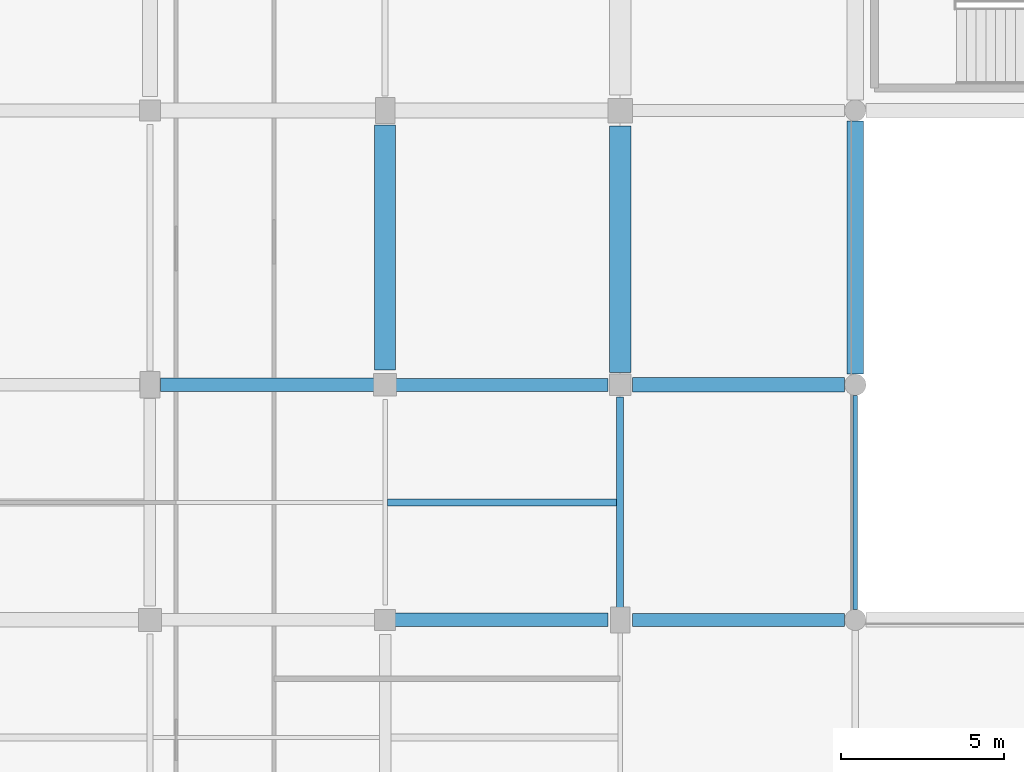
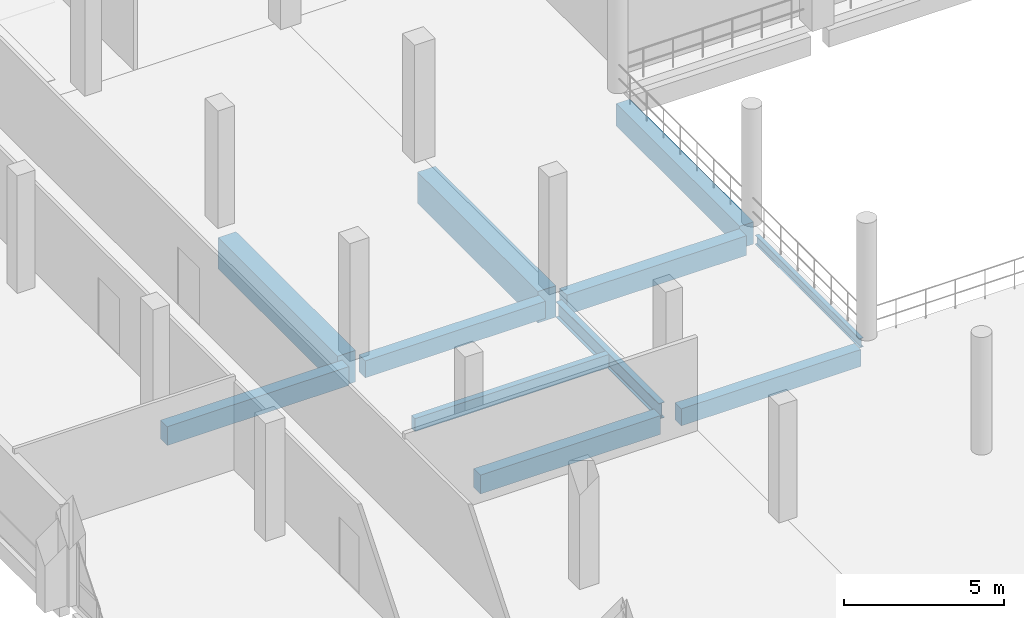
# One storey, part 58 of 124: 11 beams.
"""IFC4 building model written with IfcOpenShell, lengths in metres."""

from ifc_helpers import new_model, si_unit, direction, frame, origin, origin_2d, place, context, subcontext, project, spatial, rectangle, i_section, extrude, material, material_profile, profile_set, type_object, element, save


model = new_model("IFC4")

# Units and contexts
model_context = context("Model", 3, precision=1e-05, world=origin(), true_north=direction((0.0, 1.0)))
body_context = subcontext(model_context, "Body", "Model", "MODEL_VIEW")
ifc_project = project(units=[si_unit("LENGTHUNIT", "METRE"), si_unit("AREAUNIT", "SQUARE_METRE"), si_unit("VOLUMEUNIT", "CUBIC_METRE"), si_unit("PLANEANGLEUNIT", "RADIAN"), si_unit("MASSUNIT", "GRAM", prefix="KILO")], contexts=[model_context])

# Site, building, storey
site_placement = place(None, origin())
site = spatial("IfcSite", under=ifc_project, at=site_placement, CompositionType="ELEMENT")
building_placement = place(site_placement, origin())
building = spatial("IfcBuilding", under=site, at=building_placement, Name="Kalluvel Institute of Natural Sciences", CompositionType="ELEMENT")
storey_placement = place(building_placement, frame((0.0, 0.0, 9.89990234375)))
storey = spatial("IfcBuildingStorey", under=building, at=storey_placement, Name="L02", CompositionType="ELEMENT", Elevation=9.89990234375)

# Beams
ifc_material_1 = material(Name="Steel E350 Grade 350", Category="steel")
ifc_material_profile_1 = material_profile(ifc_material_1, i_section(OverallWidth=0.139892578125, OverallDepth=0.35009765625, WebThickness=0.008056640625, FlangeThickness=0.01416015625, FilletRadius=0.013916015625, at=origin_2d()), Name="ISMB 350")
ifc_profile_set_1 = profile_set([ifc_material_profile_1], Name="Steel E350 Grade 350")
beam_type_1 = type_object("IfcBeamType", Name="BM-ISMB350", PredefinedType="BEAM", material=ifc_profile_set_1)
beam_1_placement = place(storey_placement, frame((42.800048828125, 79.125, -0.494873046875), z_axis=(0.0, 1.0, 0.0), x_axis=(-1.0, 0.0, 0.0)))
element("IfcBeam", 1, at=beam_1_placement, inside=storey, type_object=beam_type_1, Name="L02 girder GIR-L02-NS-X428-Y788", PredefinedType="BEAM", context=body_context, shape_type="SweptSolid", body=[
    extrude(i_section(OverallWidth=0.139892578125, OverallDepth=0.35009765625, WebThickness=0.008056640625, FlangeThickness=0.01416015625, FilletRadius=0.013916015625, at=origin_2d()), origin(), (0.0, 0.0, 1.0), 6.550048828125),
])
ifc_material_profile_2 = material_profile(ifc_material_1, i_section(OverallWidth=0.2099609375, OverallDepth=0.60009765625, WebThickness=0.011962890625, FlangeThickness=0.020751953125, FilletRadius=0.02001953125, at=origin_2d()), Name="ISMB 600")
ifc_profile_set_2 = profile_set([ifc_material_profile_2], Name="Steel E350 Grade 350")
beam_type_2 = type_object("IfcBeamType", Name="BM-ISMB600", PredefinedType="BEAM", material=ifc_profile_set_2)
beam_2_placement = place(storey_placement, frame((35.60009765625, 79.175048828125, -0.599853515625), z_axis=(0.0, 1.0, 0.0), x_axis=(-1.0, 0.0, 0.0)))
element("IfcBeam", 2, at=beam_2_placement, inside=storey, type_object=beam_type_2, Name="L02 girder GIR-L02-NS-X356-Y788", PredefinedType="BEAM", context=body_context, shape_type="SweptSolid", body=[
    extrude(i_section(OverallWidth=0.2099609375, OverallDepth=0.60009765625, WebThickness=0.011962890625, FlangeThickness=0.020751953125, FilletRadius=0.02001953125, at=origin_2d()), origin(), (0.0, 0.0, 1.0), 6.449951171875),
])
ifc_material_2 = material(Name="Concrete M40", Category="concrete")
ifc_material_profile_3 = material_profile(ifc_material_2, rectangle(XDim=0.39990234375, YDim=0.64990234375, at=origin_2d()), Name="RCB 400x650")
ifc_profile_set_3 = profile_set([ifc_material_profile_3], Name="Concrete M40")
beam_type_3 = type_object("IfcBeamType", Name="BM-RC400x650", PredefinedType="BEAM", material=ifc_profile_set_3)
beam_3_placement = place(storey_placement, frame((35.97509765625, 78.800048828125, -0.64501953125), z_axis=(1.0, 0.0, 0.0), x_axis=(0.0, 1.0, 0.0)))
element("IfcBeam", 3, at=beam_3_placement, inside=storey, type_object=beam_type_3, Name="L02 girder GIR-L02-EW-X356-Y788", PredefinedType="BEAM", context=body_context, shape_type="SweptSolid", body=[
    extrude(rectangle(XDim=0.39990234375, YDim=0.64990234375, at=origin_2d()), origin(), (0.0, 0.0, 1.0), 6.5),
])
beam_4_placement = place(storey_placement, frame((28.699951171875, 86.0, -0.625), z_axis=(1.0, 0.0, 0.0), x_axis=(0.0, 1.0, 0.0)))
element("IfcBeam", 4, at=beam_4_placement, inside=storey, type_object=beam_type_3, Name="L02 girder GIR-L02-EW-X284-Y860", PredefinedType="BEAM", context=body_context, shape_type="SweptSolid", body=[
    extrude(rectangle(XDim=0.39990234375, YDim=0.64990234375, at=origin_2d()), origin(), (0.0, 0.0, 1.0), 6.525146484375),
])
ifc_material_profile_4 = material_profile(ifc_material_2, rectangle(XDim=0.419921875, YDim=0.719970703125, at=origin_2d()), Name="RCB 420x720")
ifc_profile_set_4 = profile_set([ifc_material_profile_4], Name="Concrete M40")
beam_type_4 = type_object("IfcBeamType", Name="BM-RC420x720", PredefinedType="BEAM", material=ifc_profile_set_4)
beam_5_placement = place(storey_placement, frame((28.699951171875, 78.800048828125, -0.659912109375), z_axis=(1.0, 0.0, 0.0), x_axis=(0.0, 1.0, 0.0)))
element("IfcBeam", 5, at=beam_5_placement, inside=storey, type_object=beam_type_4, Name="L02 girder GIR-L02-EW-X284-Y788", PredefinedType="BEAM", context=body_context, shape_type="SweptSolid", body=[
    extrude(rectangle(XDim=0.419921875, YDim=0.719970703125, at=origin_2d()), origin(), (0.0, 0.0, 1.0), 6.525146484375),
])
beam_6_placement = place(storey_placement, frame((21.52490234375, 86.0, -0.659912109375), z_axis=(1.0, 0.0, 0.0), x_axis=(0.0, 1.0, 0.0)))
element("IfcBeam", 6, at=beam_6_placement, inside=storey, type_object=beam_type_4, Name="L02 girder GIR-L02-EW-X212-Y860", PredefinedType="BEAM", context=body_context, shape_type="SweptSolid", body=[
    extrude(rectangle(XDim=0.419921875, YDim=0.719970703125, at=origin_2d()), origin(), (0.0, 0.0, 1.0), 6.5751953125),
])
ifc_material_profile_5 = material_profile(ifc_material_2, rectangle(XDim=0.449951171875, YDim=0.75, at=origin_2d()), Name="RCB 450x750")
ifc_profile_set_5 = profile_set([ifc_material_profile_5], Name="Concrete M40")
beam_type_5 = type_object("IfcBeamType", Name="BM-RC450x750", PredefinedType="BEAM", material=ifc_profile_set_5)
beam_7_placement = place(storey_placement, frame((35.97509765625, 86.0, -0.69482421875), z_axis=(1.0, 0.0, 0.0), x_axis=(0.0, 1.0, 0.0)))
element("IfcBeam", 7, at=beam_7_placement, inside=storey, type_object=beam_type_5, Name="L02 girder GIR-L02-EW-X356-Y860", PredefinedType="BEAM", context=body_context, shape_type="SweptSolid", body=[
    extrude(rectangle(XDim=0.449951171875, YDim=0.75, at=origin_2d()), origin(), (0.0, 0.0, 1.0), 6.5),
])
ifc_material_3 = material(Name="Concrete M50", Category="concrete")
ifc_material_profile_6 = material_profile(ifc_material_3, rectangle(XDim=0.5, YDim=0.85009765625, at=origin_2d()), Name="RCB 500x850")
ifc_profile_set_6 = profile_set([ifc_material_profile_6], Name="Concrete M50")
beam_type_6 = type_object("IfcBeamType", Name="BM-RC500x850", PredefinedType="BEAM", material=ifc_profile_set_6)
beam_8_placement = place(storey_placement, frame((42.800048828125, 86.324951171875, -0.744873046875), z_axis=(0.0, 1.0, 0.0), x_axis=(-1.0, 0.0, 0.0)))
element("IfcBeam", 8, at=beam_8_placement, inside=storey, type_object=beam_type_6, Name="L02 girder GIR-L02-NS-X428-Y860", PredefinedType="BEAM", context=body_context, shape_type="SweptSolid", body=[
    extrude(rectangle(XDim=0.5, YDim=0.85009765625, at=origin_2d()), origin(), (0.0, 0.0, 1.0), 7.75),
])
ifc_material_profile_7 = material_profile(ifc_material_3, rectangle(XDim=0.64990234375, YDim=1.199951171875, at=origin_2d()), Name="RCB 650x1200")
ifc_profile_set_7 = profile_set([ifc_material_profile_7], Name="Concrete M50")
beam_type_7 = type_object("IfcBeamType", Name="BM-RC650x1200", PredefinedType="BEAM", material=ifc_profile_set_7)
beam_9_placement = place(storey_placement, frame((28.39990234375, 86.449951171875, -0.89990234375), z_axis=(0.0, 1.0, 0.0), x_axis=(-1.0, 0.0, 0.0)))
element("IfcBeam", 9, at=beam_9_placement, inside=storey, type_object=beam_type_7, Name="L02 girder GIR-L02-NS-X284-Y860", PredefinedType="BEAM", context=body_context, shape_type="SweptSolid", body=[
    extrude(rectangle(XDim=0.64990234375, YDim=1.199951171875, at=origin_2d()), origin(), (0.0, 0.0, 1.0), 7.5),
])
beam_10_placement = place(storey_placement, frame((35.60009765625, 86.375, -0.89990234375), z_axis=(0.0, 1.0, 0.0), x_axis=(-1.0, 0.0, 0.0)))
element("IfcBeam", 10, at=beam_10_placement, inside=storey, type_object=beam_type_7, Name="L02 girder GIR-L02-NS-X356-Y860", PredefinedType="BEAM", context=body_context, shape_type="SweptSolid", body=[
    extrude(rectangle(XDim=0.64990234375, YDim=1.199951171875, at=origin_2d()), origin(), (0.0, 0.0, 1.0), 7.550048828125),
])
ifc_material_profile_8 = material_profile(ifc_material_2, rectangle(XDim=0.219970703125, YDim=0.5, at=origin_2d()), Name="WAF 220x500")
ifc_profile_set_8 = profile_set([ifc_material_profile_8], Name="Concrete M40")
beam_type_8 = type_object("IfcBeamType", Name="WJ-220x500", PredefinedType="JOIST", material=ifc_profile_set_8)
beam_11_placement = place(storey_placement, frame((28.469970703125, 82.39990234375, -0.5498046875), z_axis=(1.0, 0.0, 0.0), x_axis=(0.0, 1.0, 0.0)))
element("IfcBeam", 11, at=beam_11_placement, inside=storey, type_object=beam_type_8, Name="L02 floor rib RIB-L02-0679", PredefinedType="JOIST", context=body_context, shape_type="SweptSolid", body=[
    extrude(rectangle(XDim=0.219970703125, YDim=0.5, at=origin_2d()), origin(), (0.0, 0.0, 1.0), 7.025146484375),
])

save(model, "model.ifc")
